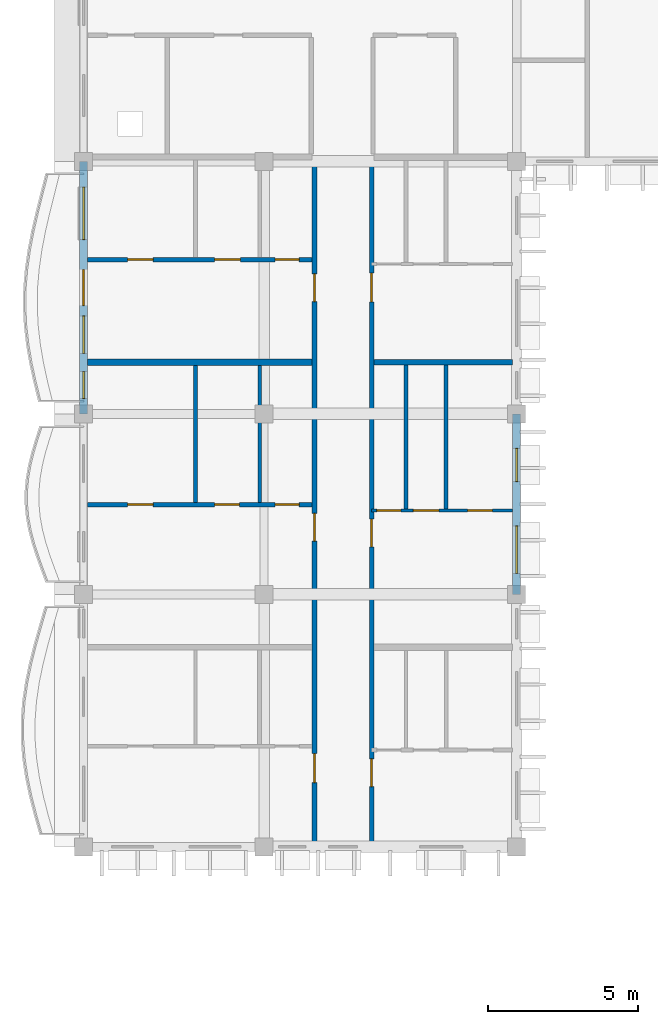
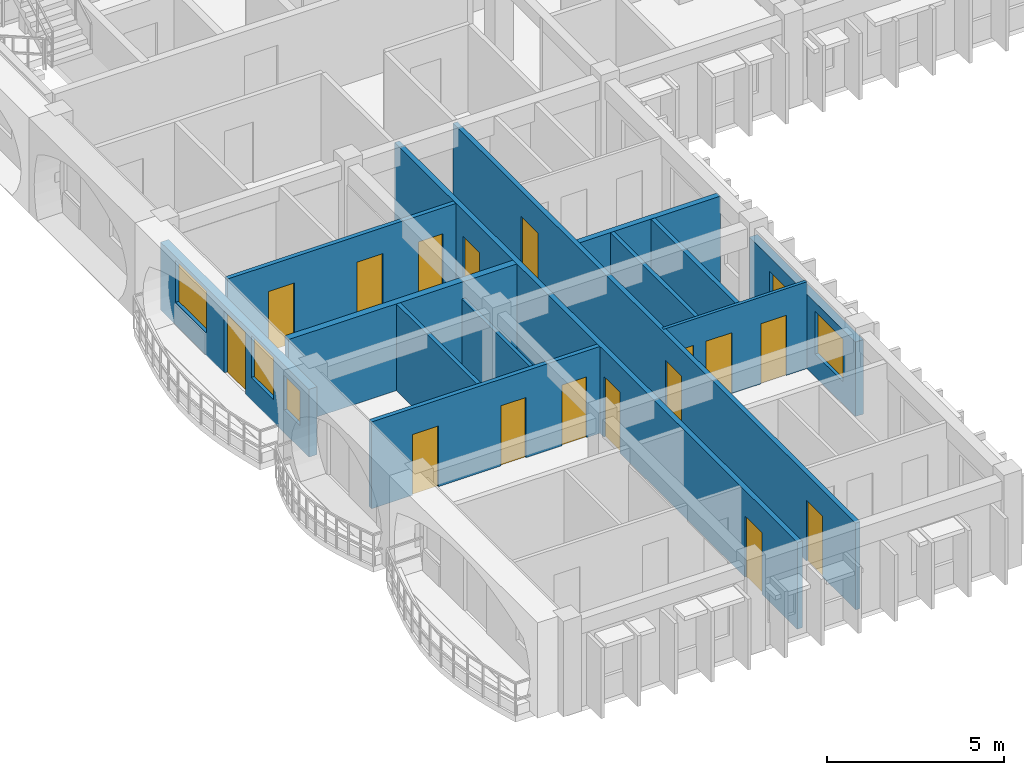
# One storey, part 16 of 45: 16 doors, 13 walls, 5 windows, 21 openings.
"""IFC4 building model written with IfcOpenShell, lengths in metres."""

from ifc_helpers import new_model, si_unit, direction, frame, frame_2d, origin, place, context, subcontext, project, spatial, rectangle, extrude, material, layer, layer_set, type_object, element, fill, save


model = new_model("IFC4")

# Units and contexts
model_context = context("Model", 3, precision=1e-05, world=origin(), true_north=direction((0.0, 1.0)))
body_context = subcontext(model_context, "Body", "Model", "MODEL_VIEW")
ifc_project = project(units=[si_unit("LENGTHUNIT", "METRE"), si_unit("AREAUNIT", "SQUARE_METRE"), si_unit("VOLUMEUNIT", "CUBIC_METRE"), si_unit("PLANEANGLEUNIT", "RADIAN"), si_unit("MASSUNIT", "GRAM", prefix="KILO"), si_unit("THERMODYNAMICTEMPERATUREUNIT", "KELVIN")], contexts=[model_context])

# Site, building, storey
site_placement = place(None, origin())
site = spatial("IfcSite", under=ifc_project, at=site_placement, CompositionType="ELEMENT")
building_placement = place(site_placement, origin())
building = spatial("IfcBuilding", under=site, at=building_placement, Name="Thalorik Housing Commons", CompositionType="ELEMENT")
storey_placement = place(building_placement, frame((0.0, 0.0, 34.5)))
storey = spatial("IfcBuildingStorey", under=building, at=storey_placement, Name="L10", CompositionType="ELEMENT", Elevation=34.5)

# Wall, openings, doors
ifc_material_1 = material(Name="Masonry fire-rated corridor wall", Category="masonry")
ifc_layer_1 = layer(ifc_material_1, 0.14990234375, Name="Masonry fire-rated corridor wall", Category="masonry")
ifc_layer_set_1 = layer_set([ifc_layer_1], Name="Masonry fire-rated corridor wall")
wall_type_1 = type_object("IfcWallType", Name="ARC-WAL-CORR-150", PredefinedType="PARTITIONING", material=ifc_layer_set_1)
wall_1_placement = place(storey_placement, frame((17.97998046875, 86.534423828125, 0.0), z_axis=(0.0, 0.0, 1.0), x_axis=(0.0, 1.0, 0.0)))
wall_1 = element("IfcWall", 1, at=wall_1_placement, inside=storey, type_object=wall_type_1, Name="L10 Block A W Corridor Wall 2", PredefinedType="PARTITIONING", context=body_context, shape_type="SweptSolid", body=[
    extrude(rectangle(XDim=22.8056640625, YDim=0.14990234375, at=frame_2d((11.40283203125, 0.0))), origin(), (0.0, 0.0, 1.0), 3.0),
])
opening_1_placement = place(wall_1_placement, frame((1.873779296875, 0.0, 0.0)))
opening_1 = element("IfcOpeningElement", 2, at=opening_1_placement, cuts=wall_1, Name="Opening ID-0858", PredefinedType="OPENING", context=body_context, shape_type="SweptSolid", body=[
    extrude(rectangle(XDim=0.919921875, YDim=2.10009765625, at=frame_2d((0.4599609375, 1.050048828125))), frame((0.0, 0.0849609375, 0.0), z_axis=(0.0, -1.0, 0.0), x_axis=(1.0, 0.0, 0.0)), (0.0, 0.0, 1.0), 0.169921875),
])
opening_2_placement = place(wall_1_placement, frame((9.845947265625, 0.0, 0.0)))
opening_2 = element("IfcOpeningElement", 3, at=opening_2_placement, cuts=wall_1, Name="Opening ID-0859", PredefinedType="OPENING", context=body_context, shape_type="SweptSolid", body=[
    extrude(rectangle(XDim=0.919921875, YDim=2.10009765625, at=frame_2d((0.4599609375, 1.050048828125))), frame((0.0, 0.0849609375, 0.0), z_axis=(0.0, -1.0, 0.0), x_axis=(1.0, 0.0, 0.0)), (0.0, 0.0, 1.0), 0.169921875),
])
opening_3_placement = place(wall_1_placement, frame((17.992431640625, 0.0, 0.0)))
opening_3 = element("IfcOpeningElement", 4, at=opening_3_placement, cuts=wall_1, Name="Opening ID-0860", PredefinedType="OPENING", context=body_context, shape_type="SweptSolid", body=[
    extrude(rectangle(XDim=0.9599609375, YDim=2.1201171875, at=frame_2d((0.47998046875, 1.06005859375))), frame((0.0, 0.0849609375, 0.0), z_axis=(0.0, -1.0, 0.0), x_axis=(1.0, 0.0, 0.0)), (0.0, 0.0, 1.0), 0.169921875),
])
ifc_material_2 = material(Name="Solid core hardwood timber", Category="wood")
door_type_1 = type_object("IfcDoorType", Name="ARC-DR-FD30-920", OperationType="NOTDEFINED", PredefinedType="DOOR", material=ifc_material_2)
door_1_placement = place(opening_1_placement, origin())
door_1 = element("IfcDoor", 5, at=door_1_placement, inside=storey, type_object=door_type_1, Name="L10 Flat AW-1B Entrance Door", OperationType="SINGLE_SWING_LEFT", OverallHeight=2.10009765625, OverallWidth=0.919921875, PredefinedType="DOOR", context=body_context, shape_type="SweptSolid", body=[
    extrude(rectangle(XDim=0.919921875, YDim=2.10009765625, at=frame_2d((0.4599609375, 1.050048828125))), frame((0.0, 0.02490234375, 0.0), z_axis=(0.0, -1.0, 0.0), x_axis=(1.0, 0.0, 0.0)), (0.0, 0.0, 1.0), 0.050048828125),
])
fill(opening_1, door_1)
door_2_placement = place(opening_2_placement, origin())
door_2 = element("IfcDoor", 6, at=door_2_placement, inside=storey, type_object=door_type_1, Name="L10 Flat AW-2B Entrance Door", OperationType="SINGLE_SWING_RIGHT", OverallHeight=2.10009765625, OverallWidth=0.919921875, PredefinedType="DOOR", context=body_context, shape_type="SweptSolid", body=[
    extrude(rectangle(XDim=0.919921875, YDim=2.10009765625, at=frame_2d((0.4599609375, 1.050048828125))), frame((0.0, 0.02490234375, 0.0), z_axis=(0.0, -1.0, 0.0), x_axis=(1.0, 0.0, 0.0)), (0.0, 0.0, 1.0), 0.050048828125),
])
fill(opening_2, door_2)
door_type_2 = type_object("IfcDoorType", Name="ARC-DR-FD30-960", OperationType="NOTDEFINED", PredefinedType="DOOR", material=ifc_material_2)
door_3_placement = place(opening_3_placement, origin())
door_3 = element("IfcDoor", 7, at=door_3_placement, inside=storey, type_object=door_type_2, Name="L10 Flat AW-3B Entrance Door", OperationType="SINGLE_SWING_LEFT", OverallHeight=2.1201171875, OverallWidth=0.9599609375, PredefinedType="DOOR", context=body_context, shape_type="SweptSolid", body=[
    extrude(rectangle(XDim=0.9599609375, YDim=2.1201171875, at=frame_2d((0.47998046875, 1.06005859375))), frame((0.0, 0.02490234375, 0.0), z_axis=(0.0, -1.0, 0.0), x_axis=(1.0, 0.0, 0.0)), (0.0, 0.0, 1.0), 0.050048828125),
])
fill(opening_3, door_3)

ifc_layer_2 = layer(ifc_material_1, 0.1650390625, Name="Masonry fire-rated corridor wall", Category="masonry")
ifc_layer_set_2 = layer_set([ifc_layer_2], Name="Masonry fire-rated corridor wall")
wall_type_2 = type_object("IfcWallType", Name="ARC-WAL-CORR-165", PredefinedType="PARTITIONING", material=ifc_layer_set_2)
wall_2_placement = place(storey_placement, frame((16.080078125, 86.534423828125, 0.0), z_axis=(0.0, 0.0, 1.0), x_axis=(0.0, 1.0, 0.0)))
wall_2 = element("IfcWall", 8, at=wall_2_placement, inside=storey, type_object=wall_type_2, Name="L10 Block A W Corridor Wall 1", PredefinedType="PARTITIONING", context=body_context, shape_type="SweptSolid", body=[
    extrude(rectangle(XDim=22.8056640625, YDim=0.1650390625, at=frame_2d((11.40283203125, 0.0))), origin(), (0.0, 0.0, 1.0), 3.0),
])
opening_4_placement = place(wall_2_placement, frame((2.005615234375, 0.0, 0.0)))
opening_4 = element("IfcOpeningElement", 9, at=opening_4_placement, cuts=wall_2, Name="Opening ID-0855", PredefinedType="OPENING", context=body_context, shape_type="SweptSolid", body=[
    extrude(rectangle(XDim=0.9599609375, YDim=2.1201171875, at=frame_2d((0.47998046875, 1.06005859375))), frame((0.0, 0.092529296875, 0.0), z_axis=(0.0, -1.0, 0.0), x_axis=(1.0, 0.0, 0.0)), (0.0, 0.0, 1.0), 0.18505859375),
])
opening_5_placement = place(wall_2_placement, frame((10.035400390625, 0.0, 0.0)))
opening_5 = element("IfcOpeningElement", 10, at=opening_5_placement, cuts=wall_2, Name="Opening ID-0856", PredefinedType="OPENING", context=body_context, shape_type="SweptSolid", body=[
    extrude(rectangle(XDim=0.919921875, YDim=2.10009765625, at=frame_2d((0.4599609375, 1.050048828125))), frame((0.0, 0.092529296875, 0.0), z_axis=(0.0, -1.0, 0.0), x_axis=(1.0, 0.0, 0.0)), (0.0, 0.0, 1.0), 0.18505859375),
])
opening_6_placement = place(wall_2_placement, frame((18.002685546875, 0.0, 0.0)))
opening_6 = element("IfcOpeningElement", 11, at=opening_6_placement, cuts=wall_2, Name="Opening ID-0857", PredefinedType="OPENING", context=body_context, shape_type="SweptSolid", body=[
    extrude(rectangle(XDim=0.919921875, YDim=2.10009765625, at=frame_2d((0.4599609375, 1.050048828125))), frame((0.0, 0.092529296875, 0.0), z_axis=(0.0, -1.0, 0.0), x_axis=(1.0, 0.0, 0.0)), (0.0, 0.0, 1.0), 0.18505859375),
])
door_4_placement = place(opening_5_placement, origin())
door_4 = element("IfcDoor", 12, at=door_4_placement, inside=storey, type_object=door_type_1, Name="L10 Flat AW-2A Entrance Door", OperationType="SINGLE_SWING_LEFT", OverallHeight=2.10009765625, OverallWidth=0.919921875, PredefinedType="DOOR", context=body_context, shape_type="SweptSolid", body=[
    extrude(rectangle(XDim=0.919921875, YDim=2.10009765625, at=frame_2d((0.4599609375, 1.050048828125))), frame((0.0, 0.02490234375, 0.0), z_axis=(0.0, -1.0, 0.0), x_axis=(1.0, 0.0, 0.0)), (0.0, 0.0, 1.0), 0.050048828125),
])
fill(opening_5, door_4)
door_5_placement = place(opening_6_placement, origin())
door_5 = element("IfcDoor", 13, at=door_5_placement, inside=storey, type_object=door_type_1, Name="L10 Flat AW-3A Entrance Door", OperationType="SINGLE_SWING_RIGHT", OverallHeight=2.10009765625, OverallWidth=0.919921875, PredefinedType="DOOR", context=body_context, shape_type="SweptSolid", body=[
    extrude(rectangle(XDim=0.919921875, YDim=2.10009765625, at=frame_2d((0.4599609375, 1.050048828125))), frame((0.0, 0.02490234375, 0.0), z_axis=(0.0, -1.0, 0.0), x_axis=(1.0, 0.0, 0.0)), (0.0, 0.0, 1.0), 0.050048828125),
])
fill(opening_6, door_5)
door_6_placement = place(opening_4_placement, origin())
door_6 = element("IfcDoor", 14, at=door_6_placement, inside=storey, type_object=door_type_2, Name="L10 Flat AW-1A Entrance Door", OperationType="SINGLE_SWING_RIGHT", OverallHeight=2.1201171875, OverallWidth=0.9599609375, PredefinedType="DOOR", context=body_context, shape_type="SweptSolid", body=[
    extrude(rectangle(XDim=0.9599609375, YDim=2.1201171875, at=frame_2d((0.47998046875, 1.06005859375))), frame((0.0, 0.02490234375, 0.0), z_axis=(0.0, -1.0, 0.0), x_axis=(1.0, 0.0, 0.0)), (0.0, 0.0, 1.0), 0.050048828125),
])
fill(opening_4, door_6)

# Wall, openings, door, windows
ifc_material_3 = material(Name="White precast concrete C40/50", Category="concrete")
ifc_layer_3 = layer(ifc_material_3, 0.264892578125, Name="White precast concrete C40/50", Category="concrete")
ifc_layer_set_3 = layer_set([ifc_layer_3], Name="White precast concrete C40/50")
wall_type_3 = type_object("IfcWallType", Name="ARC-WAL-EXT-265", PredefinedType="STANDARD", material=ifc_layer_set_3)
wall_3_placement = place(storey_placement, frame((8.39990234375, 109.199951171875, 0.0), z_axis=(0.0, 0.0, 1.0), x_axis=(0.0, -1.0, 0.0)))
wall_3 = element("IfcWall", 15, at=wall_3_placement, inside=storey, type_object=wall_type_3, Name="L10 Exterior Wall WAL-EXT-L10-A-0271", PredefinedType="STANDARD", context=body_context, shape_type="SweptSolid", body=[
    extrude(rectangle(XDim=8.39990234375, YDim=0.264892578125, at=frame_2d((4.199951171875, 0.0))), origin(), (0.0, 0.0, 1.0), 2.344970703125),
])
opening_7_placement = place(wall_3_placement, frame((3.60009765625, 0.0, 0.0)))
opening_7 = element("IfcOpeningElement", 16, at=opening_7_placement, cuts=wall_3, Name="Opening ED-0086", PredefinedType="OPENING", context=body_context, shape_type="SweptSolid", body=[
    extrude(rectangle(XDim=1.199951171875, YDim=2.14990234375, at=frame_2d((0.60009765625, 1.074951171875))), frame((0.0, 0.142578125, 0.0), z_axis=(0.0, -1.0, 0.0), x_axis=(1.0, 0.0, 0.0)), (0.0, 0.0, 1.0), 0.284912109375),
])
opening_8_placement = place(wall_3_placement, frame((0.85498046875, 0.0, 0.780029296875)))
opening_8 = element("IfcOpeningElement", 17, at=opening_8_placement, cuts=wall_3, Name="Opening W-17", PredefinedType="OPENING", context=body_context, shape_type="SweptSolid", body=[
    extrude(rectangle(XDim=1.75, YDim=1.449951171875, at=frame_2d((0.875, 0.72509765625))), frame((0.0, 0.142578125, 0.0), z_axis=(0.0, -1.0, 0.0), x_axis=(1.0, 0.0, 0.0)), (0.0, 0.0, 1.0), 0.284912109375),
])
opening_9_placement = place(wall_3_placement, frame((5.139892578125, 0.0, 0.780029296875)))
opening_9 = element("IfcOpeningElement", 18, at=opening_9_placement, cuts=wall_3, Name="Opening W-47", PredefinedType="OPENING", context=body_context, shape_type="SweptSolid", body=[
    extrude(rectangle(XDim=1.25, YDim=1.449951171875, at=frame_2d((0.625, 0.72509765625))), frame((0.0, 0.142578125, 0.0), z_axis=(0.0, -1.0, 0.0), x_axis=(1.0, 0.0, 0.0)), (0.0, 0.0, 1.0), 0.284912109375),
])
opening_10_placement = place(wall_3_placement, frame((6.9951171875, 0.0, 0.780029296875)))
opening_10 = element("IfcOpeningElement", 19, at=opening_10_placement, cuts=wall_3, Name="Opening W-01", PredefinedType="OPENING", context=body_context, shape_type="SweptSolid", body=[
    extrude(rectangle(XDim=0.89990234375, YDim=1.199951171875, at=frame_2d((0.449951171875, 0.60009765625))), frame((0.0, 0.142578125, 0.0), z_axis=(0.0, -1.0, 0.0), x_axis=(1.0, 0.0, 0.0)), (0.0, 0.0, 1.0), 0.284912109375),
])
ifc_material_4 = material(Name="Anodised aluminium and laminated safety glass", Category="aluminium")
door_type_3 = type_object("IfcDoorType", Name="ARC-DR-BAL-1200", OperationType="NOTDEFINED", PredefinedType="DOOR", material=ifc_material_4)
door_7_placement = place(opening_7_placement, frame((1.199951171875, 0.0, 0.0), z_axis=(0.0, 0.0, 1.0), x_axis=(-1.0, 0.0, 0.0)))
door_7 = element("IfcDoor", 20, at=door_7_placement, inside=storey, type_object=door_type_3, Name="L10 Block A Balcony Glazed Door", OperationType="SINGLE_SWING_LEFT", OverallHeight=2.14990234375, OverallWidth=1.199951171875, PredefinedType="DOOR", context=body_context, shape_type="SweptSolid", body=[
    extrude(rectangle(XDim=1.199951171875, YDim=2.14990234375, at=frame_2d((0.60009765625, 1.074951171875))), frame((0.0, 0.02490234375, 0.0), z_axis=(0.0, -1.0, 0.0), x_axis=(1.0, 0.0, 0.0)), (0.0, 0.0, 1.0), 0.050048828125),
])
fill(opening_7, door_7)
ifc_material_5 = material(Name="Anodised aluminium and solar-control low-E glass", Category="aluminium")
window_type_1 = type_object("IfcWindowType", Name="ARC-WIN-01", PartitioningType="SINGLE_PANEL", PredefinedType="WINDOW", material=ifc_material_5)
window_1_placement = place(opening_10_placement, origin())
window_1 = element("IfcWindow", 21, at=window_1_placement, inside=storey, type_object=window_type_1, Name="L10 Facade Window 490", OverallHeight=1.199951171875, OverallWidth=0.89990234375, PartitioningType="SINGLE_PANEL", PredefinedType="WINDOW", context=body_context, shape_type="SweptSolid", body=[
    extrude(rectangle(XDim=0.89990234375, YDim=1.199951171875, at=frame_2d((0.449951171875, 0.60009765625))), frame((0.0, 0.030029296875, 0.0), z_axis=(0.0, -1.0, 0.0), x_axis=(1.0, 0.0, 0.0)), (0.0, 0.0, 1.0), 0.06005859375),
])
fill(opening_10, window_1)
window_type_2 = type_object("IfcWindowType", Name="ARC-WIN-17", PartitioningType="DOUBLE_PANEL_VERTICAL", PredefinedType="WINDOW", material=ifc_material_5)
window_2_placement = place(opening_8_placement, origin())
window_2 = element("IfcWindow", 22, at=window_2_placement, inside=storey, type_object=window_type_2, Name="L10 Facade Window 488", OverallHeight=1.449951171875, OverallWidth=1.75, PartitioningType="DOUBLE_PANEL_VERTICAL", PredefinedType="WINDOW", context=body_context, shape_type="SweptSolid", body=[
    extrude(rectangle(XDim=1.75, YDim=1.449951171875, at=frame_2d((0.875, 0.72509765625))), frame((0.0, 0.030029296875, 0.0), z_axis=(0.0, -1.0, 0.0), x_axis=(1.0, 0.0, 0.0)), (0.0, 0.0, 1.0), 0.06005859375),
])
fill(opening_8, window_2)
window_type_3 = type_object("IfcWindowType", Name="ARC-WIN-47", PartitioningType="SINGLE_PANEL", PredefinedType="WINDOW", material=ifc_material_5)
window_3_placement = place(opening_9_placement, origin())
window_3 = element("IfcWindow", 23, at=window_3_placement, inside=storey, type_object=window_type_3, Name="L10 Facade Window 489", OverallHeight=1.449951171875, OverallWidth=1.25, PartitioningType="SINGLE_PANEL", PredefinedType="WINDOW", context=body_context, shape_type="SweptSolid", body=[
    extrude(rectangle(XDim=1.25, YDim=1.449951171875, at=frame_2d((0.625, 0.72509765625))), frame((0.0, 0.030029296875, 0.0), z_axis=(0.0, -1.0, 0.0), x_axis=(1.0, 0.0, 0.0)), (0.0, 0.0, 1.0), 0.06005859375),
])
fill(opening_9, window_3)

# Wall, openings, windows
wall_4_placement = place(storey_placement, frame((22.800048828125, 94.800048828125, 0.0), z_axis=(0.0, 0.0, 1.0), x_axis=(0.0, 1.0, 0.0)))
wall_4 = element("IfcWall", 24, at=wall_4_placement, inside=storey, type_object=wall_type_3, Name="L10 Exterior Wall WAL-EXT-L10-A-0277", PredefinedType="STANDARD", context=body_context, shape_type="SweptSolid", body=[
    extrude(rectangle(XDim=6.0, YDim=0.264892578125, at=frame_2d((3.0, 0.0))), origin(), (0.0, 0.0, 1.0), 2.574951171875),
])
opening_11_placement = place(wall_4_placement, frame((0.7001953125, 0.0, 0.780029296875)))
opening_11 = element("IfcOpeningElement", 25, at=opening_11_placement, cuts=wall_4, Name="Opening W-53", PredefinedType="OPENING", context=body_context, shape_type="SweptSolid", body=[
    extrude(rectangle(XDim=1.580078125, YDim=1.47998046875, at=frame_2d((0.7900390625, 0.739990234375))), frame((0.0, 0.142578125, 0.0), z_axis=(0.0, -1.0, 0.0), x_axis=(1.0, 0.0, 0.0)), (0.0, 0.0, 1.0), 0.284912109375),
])
opening_12_placement = place(wall_4_placement, frame((3.750244140625, 0.0, 0.780029296875)))
opening_12 = element("IfcOpeningElement", 26, at=opening_12_placement, cuts=wall_4, Name="Opening W-03", PredefinedType="OPENING", context=body_context, shape_type="SweptSolid", body=[
    extrude(rectangle(XDim=1.10009765625, YDim=1.300048828125, at=frame_2d((0.550048828125, 0.64990234375))), frame((0.0, 0.142578125, 0.0), z_axis=(0.0, -1.0, 0.0), x_axis=(1.0, 0.0, 0.0)), (0.0, 0.0, 1.0), 0.284912109375),
])
window_type_4 = type_object("IfcWindowType", Name="ARC-WIN-03", PartitioningType="SINGLE_PANEL", PredefinedType="WINDOW", material=ifc_material_5)
window_4_placement = place(opening_12_placement, origin())
window_4 = element("IfcWindow", 27, at=window_4_placement, inside=storey, type_object=window_type_4, Name="L10 Facade Window 503", OverallHeight=1.300048828125, OverallWidth=1.10009765625, PartitioningType="SINGLE_PANEL", PredefinedType="WINDOW", context=body_context, shape_type="SweptSolid", body=[
    extrude(rectangle(XDim=1.10009765625, YDim=1.300048828125, at=frame_2d((0.550048828125, 0.64990234375))), frame((0.0, 0.030029296875, 0.0), z_axis=(0.0, -1.0, 0.0), x_axis=(1.0, 0.0, 0.0)), (0.0, 0.0, 1.0), 0.06005859375),
])
fill(opening_12, window_4)
window_type_5 = type_object("IfcWindowType", Name="ARC-WIN-53", PartitioningType="SINGLE_PANEL", PredefinedType="WINDOW", material=ifc_material_5)
window_5_placement = place(opening_11_placement, origin())
window_5 = element("IfcWindow", 28, at=window_5_placement, inside=storey, type_object=window_type_5, Name="L10 Facade Window 502", OverallHeight=1.47998046875, OverallWidth=1.580078125, PartitioningType="SINGLE_PANEL", PredefinedType="WINDOW", context=body_context, shape_type="SweptSolid", body=[
    extrude(rectangle(XDim=1.580078125, YDim=1.47998046875, at=frame_2d((0.7900390625, 0.739990234375))), frame((0.0, 0.030029296875, 0.0), z_axis=(0.0, -1.0, 0.0), x_axis=(1.0, 0.0, 0.0)), (0.0, 0.0, 1.0), 0.06005859375),
])
fill(opening_11, window_5)

# Wall, openings, doors
ifc_material_6 = material(Name="Gypsum light stud partition", Category="masonry")
ifc_layer_4 = layer(ifc_material_6, 0.10009765625, Name="Gypsum light stud partition", Category="masonry")
ifc_layer_set_4 = layer_set([ifc_layer_4], Name="Gypsum light stud partition")
wall_type_4 = type_object("IfcWallType", Name="ARC-WAL-PART-100", PredefinedType="PARTITIONING", material=ifc_layer_set_4)
wall_5_placement = place(storey_placement, frame((17.97998046875, 97.59033203125, 0.0), z_axis=(0.0, 0.0, 1.0), x_axis=(1.0, 0.0, 0.0)))
wall_5 = element("IfcWall", 29, at=wall_5_placement, inside=storey, type_object=wall_type_4, Name="L10 Unit 2B Spine Partition", PredefinedType="PARTITIONING", context=body_context, shape_type="SweptSolid", body=[
    extrude(rectangle(XDim=4.685546875, YDim=0.10009765625, at=frame_2d((2.3427734375, 0.0))), origin(), (0.0, 0.0, 1.0), 3.0),
])
opening_13_placement = place(wall_5_placement, frame((0.171142578125, 0.0, 0.0)))
opening_13 = element("IfcOpeningElement", 30, at=opening_13_placement, cuts=wall_5, Name="Opening ID-0846", PredefinedType="OPENING", context=body_context, shape_type="SweptSolid", body=[
    extrude(rectangle(XDim=0.800048828125, YDim=2.10009765625, at=frame_2d((0.39990234375, 1.050048828125))), frame((0.0, 0.06005859375, 0.0), z_axis=(0.0, -1.0, 0.0), x_axis=(1.0, 0.0, 0.0)), (0.0, 0.0, 1.0), 0.1201171875),
])
opening_14_placement = place(wall_5_placement, frame((1.3837890625, 0.0, 0.0)))
opening_14 = element("IfcOpeningElement", 31, at=opening_14_placement, cuts=wall_5, Name="Opening ID-0847", PredefinedType="OPENING", context=body_context, shape_type="SweptSolid", body=[
    extrude(rectangle(XDim=0.85009765625, YDim=2.10009765625, at=frame_2d((0.425048828125, 1.050048828125))), frame((0.0, 0.06005859375, 0.0), z_axis=(0.0, -1.0, 0.0), x_axis=(1.0, 0.0, 0.0)), (0.0, 0.0, 1.0), 0.1201171875),
])
opening_15_placement = place(wall_5_placement, frame((3.192626953125, 0.0, 0.0)))
opening_15 = element("IfcOpeningElement", 32, at=opening_15_placement, cuts=wall_5, Name="Opening ID-0848", PredefinedType="OPENING", context=body_context, shape_type="SweptSolid", body=[
    extrude(rectangle(XDim=0.820068359375, YDim=2.080078125, at=frame_2d((0.41015625, 1.0400390625))), frame((0.0, 0.06005859375, 0.0), z_axis=(0.0, -1.0, 0.0), x_axis=(1.0, 0.0, 0.0)), (0.0, 0.0, 1.0), 0.1201171875),
])
ifc_material_7 = material(Name="Moisture-resistant timber", Category="wood")
door_type_4 = type_object("IfcDoorType", Name="ARC-DR-INT-800", OperationType="NOTDEFINED", PredefinedType="DOOR", material=ifc_material_7)
door_8_placement = place(opening_13_placement, origin())
door_8 = element("IfcDoor", 33, at=door_8_placement, inside=storey, type_object=door_type_4, Name="L10 Flat Bathroom Door", OperationType="SINGLE_SWING_LEFT", OverallHeight=2.10009765625, OverallWidth=0.800048828125, PredefinedType="DOOR", context=body_context, shape_type="SweptSolid", body=[
    extrude(rectangle(XDim=0.800048828125, YDim=2.10009765625, at=frame_2d((0.39990234375, 1.050048828125))), frame((0.0, 0.02490234375, 0.0), z_axis=(0.0, -1.0, 0.0), x_axis=(1.0, 0.0, 0.0)), (0.0, 0.0, 1.0), 0.050048828125),
])
fill(opening_13, door_8)
ifc_material_8 = material(Name="Engineered oak timber", Category="wood")
door_type_5 = type_object("IfcDoorType", Name="ARC-DR-INT-820", OperationType="NOTDEFINED", PredefinedType="DOOR", material=ifc_material_8)
door_9_placement = place(opening_15_placement, origin())
door_9 = element("IfcDoor", 34, at=door_9_placement, inside=storey, type_object=door_type_5, Name="L10 Double Bedroom Door", OperationType="SINGLE_SWING_LEFT", OverallHeight=2.080078125, OverallWidth=0.820068359375, PredefinedType="DOOR", context=body_context, shape_type="SweptSolid", body=[
    extrude(rectangle(XDim=0.820068359375, YDim=2.080078125, at=frame_2d((0.41015625, 1.0400390625))), frame((0.0, 0.02490234375, 0.0), z_axis=(0.0, -1.0, 0.0), x_axis=(1.0, 0.0, 0.0)), (0.0, 0.0, 1.0), 0.050048828125),
])
fill(opening_15, door_9)
door_type_6 = type_object("IfcDoorType", Name="ARC-DR-INT-850", OperationType="NOTDEFINED", PredefinedType="DOOR", material=ifc_material_8)
door_10_placement = place(opening_14_placement, origin())
door_10 = element("IfcDoor", 35, at=door_10_placement, inside=storey, type_object=door_type_6, Name="L10 Galley Kitchen Door", OperationType="SINGLE_SWING_RIGHT", OverallHeight=2.10009765625, OverallWidth=0.85009765625, PredefinedType="DOOR", context=body_context, shape_type="SweptSolid", body=[
    extrude(rectangle(XDim=0.85009765625, YDim=2.10009765625, at=frame_2d((0.425048828125, 1.050048828125))), frame((0.0, 0.02490234375, 0.0), z_axis=(0.0, -1.0, 0.0), x_axis=(1.0, 0.0, 0.0)), (0.0, 0.0, 1.0), 0.050048828125),
])
fill(opening_14, door_10)

# Walls
ifc_material_9 = material(Name="Gypsum moisture-resistant partition", Category="masonry")
ifc_layer_5 = layer(ifc_material_9, 0.114990234375, Name="Gypsum moisture-resistant partition", Category="masonry")
ifc_layer_set_5 = layer_set([ifc_layer_5], Name="Gypsum moisture-resistant partition")
wall_type_5 = type_object("IfcWallType", Name="ARC-WAL-PART-115", PredefinedType="PARTITIONING", material=ifc_layer_set_5)
wall_6_placement = place(storey_placement, frame((14.251220703125, 97.85205078125, 0.0), z_axis=(0.0, 0.0, 1.0), x_axis=(0.0, 1.0, 0.0)))
element("IfcWall", 36, at=wall_6_placement, inside=storey, type_object=wall_type_5, Name="L10 Unit 2 Wet Wall", PredefinedType="PARTITIONING", context=body_context, shape_type="SweptSolid", body=[
    extrude(rectangle(XDim=4.555908203125, YDim=0.114990234375, at=frame_2d((2.27783203125, 0.0))), origin(), (0.0, 0.0, 1.0), 2.425048828125),
])
ifc_material_10 = material(Name="Gypsum acoustic stud partition", Category="masonry")
ifc_layer_6 = layer(ifc_material_10, 0.125, Name="Gypsum acoustic stud partition", Category="masonry")
ifc_layer_set_6 = layer_set([ifc_layer_6], Name="Gypsum acoustic stud partition")
wall_type_6 = type_object("IfcWallType", Name="ARC-WAL-PART-125", PredefinedType="PARTITIONING", material=ifc_layer_set_6)
wall_7_placement = place(storey_placement, frame((12.11767578125, 97.85205078125, 0.0), z_axis=(0.0, 0.0, 1.0), x_axis=(0.0, 1.0, 0.0)))
element("IfcWall", 37, at=wall_7_placement, inside=storey, type_object=wall_type_6, Name="L10 Unit 2 Bedroom Partition", PredefinedType="PARTITIONING", context=body_context, shape_type="SweptSolid", body=[
    extrude(rectangle(XDim=4.555908203125, YDim=0.125, at=frame_2d((2.27783203125, 0.0))), origin(), (0.0, 0.0, 1.0), 3.0),
])
wall_8_placement = place(storey_placement, frame((19.122314453125, 97.642333984375, 0.0), z_axis=(0.0, 0.0, 1.0), x_axis=(0.0, 1.0, 0.0)))
element("IfcWall", 38, at=wall_8_placement, inside=storey, type_object=wall_type_6, Name="L10 Unit 2B Wet Wall", PredefinedType="PARTITIONING", context=body_context, shape_type="SweptSolid", body=[
    extrude(rectangle(XDim=4.783203125, YDim=0.125, at=frame_2d((2.3916015625, 0.0))), origin(), (0.0, 0.0, 1.0), 3.0),
])

# Wall, openings, doors
ifc_material_11 = material(Name="Ceramic masonry partition wall", Category="masonry")
ifc_layer_7 = layer(ifc_material_11, 0.139892578125, Name="Ceramic masonry partition wall", Category="masonry")
ifc_layer_set_7 = layer_set([ifc_layer_7], Name="Ceramic masonry partition wall")
wall_type_7 = type_object("IfcWallType", Name="ARC-WAL-PART-140", PredefinedType="PARTITIONING", material=ifc_layer_set_7)
wall_9_placement = place(storey_placement, frame((8.534423828125, 97.780029296875, 0.0), z_axis=(0.0, 0.0, 1.0), x_axis=(1.0, 0.0, 0.0)))
wall_9 = element("IfcWall", 39, at=wall_9_placement, inside=storey, type_object=wall_type_7, Name="L10 Unit 2 Spine Partition", PredefinedType="PARTITIONING", context=body_context, shape_type="SweptSolid", body=[
    extrude(rectangle(XDim=7.461181640625, YDim=0.139892578125, at=frame_2d((3.73046875, 0.0))), origin(), (0.0, 0.0, 1.0), 3.0),
])
opening_16_placement = place(wall_9_placement, frame((1.329345703125, 0.0, 0.0)))
opening_16 = element("IfcOpeningElement", 40, at=opening_16_placement, cuts=wall_9, Name="Opening ID-0843", PredefinedType="OPENING", context=body_context, shape_type="SweptSolid", body=[
    extrude(rectangle(XDim=0.85009765625, YDim=2.10009765625, at=frame_2d((0.425048828125, 1.050048828125))), frame((0.0, 0.080078125, 0.0), z_axis=(0.0, -1.0, 0.0), x_axis=(1.0, 0.0, 0.0)), (0.0, 0.0, 1.0), 0.159912109375),
])
opening_17_placement = place(wall_9_placement, frame((4.224853515625, 0.0, 0.0)))
opening_17 = element("IfcOpeningElement", 41, at=opening_17_placement, cuts=wall_9, Name="Opening ID-0844", PredefinedType="OPENING", context=body_context, shape_type="SweptSolid", body=[
    extrude(rectangle(XDim=0.820068359375, YDim=2.080078125, at=frame_2d((0.41015625, 1.0400390625))), frame((0.0, 0.080078125, 0.0), z_axis=(0.0, -1.0, 0.0), x_axis=(1.0, 0.0, 0.0)), (0.0, 0.0, 1.0), 0.159912109375),
])
opening_18_placement = place(wall_9_placement, frame((6.231201171875, 0.0, 0.0)))
opening_18 = element("IfcOpeningElement", 42, at=opening_18_placement, cuts=wall_9, Name="Opening ID-0845", PredefinedType="OPENING", context=body_context, shape_type="SweptSolid", body=[
    extrude(rectangle(XDim=0.800048828125, YDim=2.10009765625, at=frame_2d((0.39990234375, 1.050048828125))), frame((0.0, 0.080078125, 0.0), z_axis=(0.0, -1.0, 0.0), x_axis=(1.0, 0.0, 0.0)), (0.0, 0.0, 1.0), 0.159912109375),
])
door_11_placement = place(opening_18_placement, origin())
door_11 = element("IfcDoor", 43, at=door_11_placement, inside=storey, type_object=door_type_4, Name="L10 Accessible Bathroom Door", OperationType="SINGLE_SWING_RIGHT", OverallHeight=2.10009765625, OverallWidth=0.800048828125, PredefinedType="DOOR", context=body_context, shape_type="SweptSolid", body=[
    extrude(rectangle(XDim=0.800048828125, YDim=2.10009765625, at=frame_2d((0.39990234375, 1.050048828125))), frame((0.0, 0.02490234375, 0.0), z_axis=(0.0, -1.0, 0.0), x_axis=(1.0, 0.0, 0.0)), (0.0, 0.0, 1.0), 0.050048828125),
])
fill(opening_18, door_11)
door_12_placement = place(opening_17_placement, origin())
door_12 = element("IfcDoor", 44, at=door_12_placement, inside=storey, type_object=door_type_5, Name="L10 Eat-In Kitchen Door", OperationType="SINGLE_SWING_LEFT", OverallHeight=2.080078125, OverallWidth=0.820068359375, PredefinedType="DOOR", context=body_context, shape_type="SweptSolid", body=[
    extrude(rectangle(XDim=0.820068359375, YDim=2.080078125, at=frame_2d((0.41015625, 1.0400390625))), frame((0.0, 0.02490234375, 0.0), z_axis=(0.0, -1.0, 0.0), x_axis=(1.0, 0.0, 0.0)), (0.0, 0.0, 1.0), 0.050048828125),
])
fill(opening_17, door_12)
door_13_placement = place(opening_16_placement, origin())
door_13 = element("IfcDoor", 45, at=door_13_placement, inside=storey, type_object=door_type_6, Name="L10 Double Bedroom Door", OperationType="SINGLE_SWING_RIGHT", OverallHeight=2.10009765625, OverallWidth=0.85009765625, PredefinedType="DOOR", context=body_context, shape_type="SweptSolid", body=[
    extrude(rectangle(XDim=0.85009765625, YDim=2.10009765625, at=frame_2d((0.425048828125, 1.050048828125))), frame((0.0, 0.02490234375, 0.0), z_axis=(0.0, -1.0, 0.0), x_axis=(1.0, 0.0, 0.0)), (0.0, 0.0, 1.0), 0.050048828125),
])
fill(opening_16, door_13)

# Wall
wall_10_placement = place(storey_placement, frame((20.455078125, 97.642333984375, 0.0), z_axis=(0.0, 0.0, 1.0), x_axis=(0.0, 1.0, 0.0)))
element("IfcWall", 46, at=wall_10_placement, inside=storey, type_object=wall_type_7, Name="L10 Unit 2B Bedroom Partition", PredefinedType="PARTITIONING", context=body_context, shape_type="SweptSolid", body=[
    extrude(rectangle(XDim=4.783203125, YDim=0.139892578125, at=frame_2d((2.3916015625, 0.0))), origin(), (0.0, 0.0, 1.0), 3.0),
])

# Wall, openings, doors
wall_11_placement = place(storey_placement, frame((8.534423828125, 105.929931640625, 0.0), z_axis=(0.0, 0.0, 1.0), x_axis=(1.0, 0.0, 0.0)))
wall_11 = element("IfcWall", 47, at=wall_11_placement, inside=storey, type_object=wall_type_7, Name="L10 Unit 3 Spine Partition", PredefinedType="PARTITIONING", context=body_context, shape_type="SweptSolid", body=[
    extrude(rectangle(XDim=7.461181640625, YDim=0.139892578125, at=frame_2d((3.73046875, 0.0))), origin(), (0.0, 0.0, 1.0), 3.0),
])
opening_19_placement = place(wall_11_placement, frame((1.329345703125, 0.0, 0.0)))
opening_19 = element("IfcOpeningElement", 48, at=opening_19_placement, cuts=wall_11, Name="Opening ID-0849", PredefinedType="OPENING", context=body_context, shape_type="SweptSolid", body=[
    extrude(rectangle(XDim=0.85009765625, YDim=2.10009765625, at=frame_2d((0.425048828125, 1.050048828125))), frame((0.0, 0.080078125, 0.0), z_axis=(0.0, -1.0, 0.0), x_axis=(1.0, 0.0, 0.0)), (0.0, 0.0, 1.0), 0.159912109375),
])
opening_20_placement = place(wall_11_placement, frame((4.224853515625, 0.0, 0.0)))
opening_20 = element("IfcOpeningElement", 49, at=opening_20_placement, cuts=wall_11, Name="Opening ID-0850", PredefinedType="OPENING", context=body_context, shape_type="SweptSolid", body=[
    extrude(rectangle(XDim=0.85009765625, YDim=2.10009765625, at=frame_2d((0.425048828125, 1.050048828125))), frame((0.0, 0.080078125, 0.0), z_axis=(0.0, -1.0, 0.0), x_axis=(1.0, 0.0, 0.0)), (0.0, 0.0, 1.0), 0.159912109375),
])
opening_21_placement = place(wall_11_placement, frame((6.231201171875, 0.0, 0.0)))
opening_21 = element("IfcOpeningElement", 50, at=opening_21_placement, cuts=wall_11, Name="Opening ID-0851", PredefinedType="OPENING", context=body_context, shape_type="SweptSolid", body=[
    extrude(rectangle(XDim=0.800048828125, YDim=2.10009765625, at=frame_2d((0.39990234375, 1.050048828125))), frame((0.0, 0.080078125, 0.0), z_axis=(0.0, -1.0, 0.0), x_axis=(1.0, 0.0, 0.0)), (0.0, 0.0, 1.0), 0.159912109375),
])
door_14_placement = place(opening_21_placement, origin())
door_14 = element("IfcDoor", 51, at=door_14_placement, inside=storey, type_object=door_type_4, Name="L10 Accessible Bathroom Door", OperationType="SINGLE_SWING_RIGHT", OverallHeight=2.10009765625, OverallWidth=0.800048828125, PredefinedType="DOOR", context=body_context, shape_type="SweptSolid", body=[
    extrude(rectangle(XDim=0.800048828125, YDim=2.10009765625, at=frame_2d((0.39990234375, 1.050048828125))), frame((0.0, 0.02490234375, 0.0), z_axis=(0.0, -1.0, 0.0), x_axis=(1.0, 0.0, 0.0)), (0.0, 0.0, 1.0), 0.050048828125),
])
fill(opening_21, door_14)
door_15_placement = place(opening_19_placement, origin())
door_15 = element("IfcDoor", 52, at=door_15_placement, inside=storey, type_object=door_type_6, Name="L10 Master Bedroom Door", OperationType="SINGLE_SWING_RIGHT", OverallHeight=2.10009765625, OverallWidth=0.85009765625, PredefinedType="DOOR", context=body_context, shape_type="SweptSolid", body=[
    extrude(rectangle(XDim=0.85009765625, YDim=2.10009765625, at=frame_2d((0.425048828125, 1.050048828125))), frame((0.0, 0.02490234375, 0.0), z_axis=(0.0, -1.0, 0.0), x_axis=(1.0, 0.0, 0.0)), (0.0, 0.0, 1.0), 0.050048828125),
])
fill(opening_19, door_15)
door_16_placement = place(opening_20_placement, origin())
door_16 = element("IfcDoor", 53, at=door_16_placement, inside=storey, type_object=door_type_6, Name="L10 Eat-In Kitchen Door", OperationType="SINGLE_SWING_LEFT", OverallHeight=2.10009765625, OverallWidth=0.85009765625, PredefinedType="DOOR", context=body_context, shape_type="SweptSolid", body=[
    extrude(rectangle(XDim=0.85009765625, YDim=2.10009765625, at=frame_2d((0.425048828125, 1.050048828125))), frame((0.0, 0.02490234375, 0.0), z_axis=(0.0, -1.0, 0.0), x_axis=(1.0, 0.0, 0.0)), (0.0, 0.0, 1.0), 0.050048828125),
])
fill(opening_20, door_16)

# Walls
ifc_material_12 = material(Name="Masonry acoustic blockwork wall", Category="masonry")
ifc_layer_8 = layer(ifc_material_12, 0.18505859375, Name="Masonry acoustic blockwork wall", Category="masonry")
ifc_layer_set_8 = layer_set([ifc_layer_8], Name="Masonry acoustic blockwork wall")
wall_type_8 = type_object("IfcWallType", Name="ARC-WAL-PARTY-185", PredefinedType="PARTITIONING", material=ifc_layer_set_8)
wall_12_placement = place(storey_placement, frame((18.056884765625, 102.52001953125, 0.0), z_axis=(0.0, 0.0, 1.0), x_axis=(1.0, 0.0, 0.0)))
element("IfcWall", 54, at=wall_12_placement, inside=storey, type_object=wall_type_8, Name="L10 Inter-Tenancy Wall 2B", PredefinedType="PARTITIONING", context=body_context, shape_type="SweptSolid", body=[
    extrude(rectangle(XDim=4.608642578125, YDim=0.18505859375, at=frame_2d((2.30419921875, 0.0))), origin(), (0.0, 0.0, 1.0), 3.0),
])
ifc_material_13 = material(Name="Precast concrete C40/50 acoustic wall", Category="concrete")
ifc_layer_9 = layer(ifc_material_13, 0.219970703125, Name="Precast concrete C40/50 acoustic wall", Category="concrete")
ifc_layer_set_9 = layer_set([ifc_layer_9], Name="Precast concrete C40/50 acoustic wall")
wall_type_9 = type_object("IfcWallType", Name="ARC-WAL-PARTY-220", PredefinedType="PARTITIONING", material=ifc_layer_set_9)
wall_13_placement = place(storey_placement, frame((8.534423828125, 102.52001953125, 0.0), z_axis=(0.0, 0.0, 1.0), x_axis=(1.0, 0.0, 0.0)))
element("IfcWall", 55, at=wall_13_placement, inside=storey, type_object=wall_type_9, Name="L10 Inter-Tenancy Wall 2A", PredefinedType="PARTITIONING", context=body_context, shape_type="SweptSolid", body=[
    extrude(rectangle(XDim=7.461181640625, YDim=0.219970703125, at=frame_2d((3.73046875, 0.0))), origin(), (0.0, 0.0, 1.0), 3.0),
])

save(model, "model.ifc")
